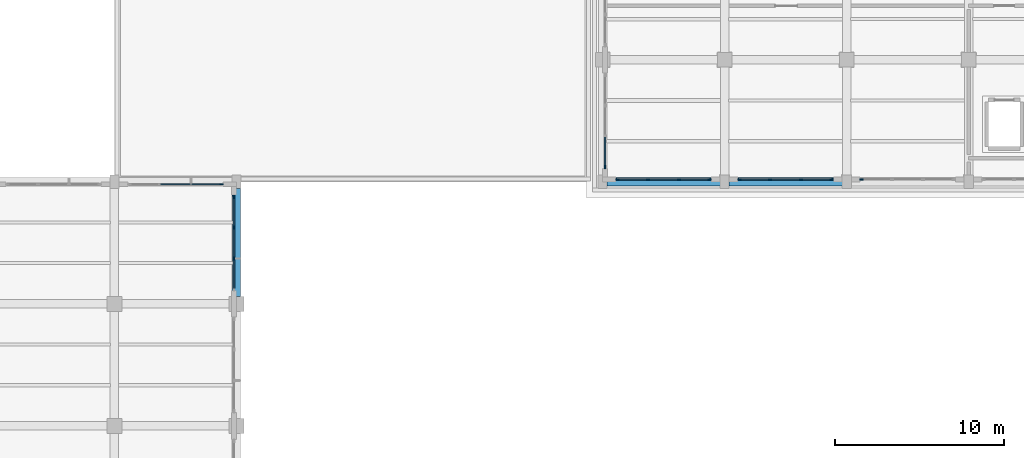
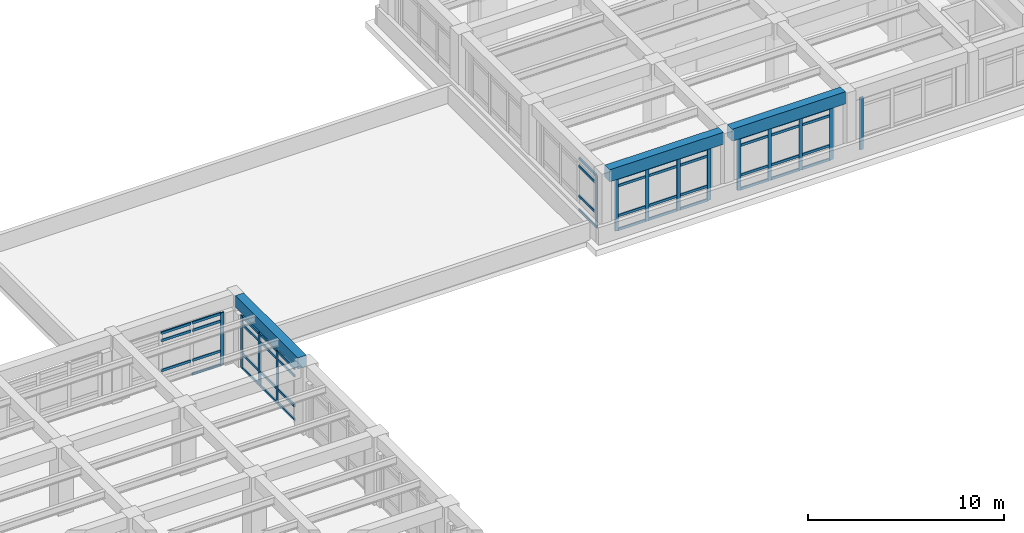
# One storey, part 21 of 69: 61 members, 3 beams, 6 elements without a shape of their own.
"""IFC4 building model written with IfcOpenShell, lengths in metres."""

from ifc_helpers import new_model, si_unit, direction, frame, origin, origin_2d, place, context, subcontext, project, spatial, rectangle, extrude, material, layer, layer_set, material_profile, profile_set, type_object, element, aggregate, save


model = new_model("IFC4")

# Units and contexts
model_context = context("Model", 3, precision=1e-05, world=origin(), true_north=direction((0.0, 1.0)))
body_context = subcontext(model_context, "Body", "Model", "MODEL_VIEW")
ifc_project = project(units=[si_unit("LENGTHUNIT", "METRE"), si_unit("AREAUNIT", "SQUARE_METRE"), si_unit("VOLUMEUNIT", "CUBIC_METRE"), si_unit("PLANEANGLEUNIT", "RADIAN"), si_unit("MASSUNIT", "GRAM", prefix="KILO")], contexts=[model_context])

# Site, building, storey
site_placement = place(None, origin())
site = spatial("IfcSite", under=ifc_project, at=site_placement, CompositionType="ELEMENT")
building_placement = place(site_placement, origin())
building = spatial("IfcBuilding", under=site, at=building_placement, Name="Solenvale Faculty of Natural Sciences", CompositionType="ELEMENT")
storey_placement = place(building_placement, frame((0.0, 0.0, 4.5)))
storey = spatial("IfcBuildingStorey", under=building, at=storey_placement, Name="L01", CompositionType="ELEMENT", Elevation=4.5)

# Beams
ifc_material_1 = material(Name="Concrete 40 MPa", Category="concrete")
ifc_material_profile_1 = material_profile(ifc_material_1, rectangle(XDim=0.5, YDim=0.699951171875, at=origin_2d()), Name="RC-BM-500x700")
ifc_profile_set_1 = profile_set([ifc_material_profile_1], Name="Concrete 40 MPa")
beam_type_1 = type_object("IfcBeamType", Name="BM-RC-500x700", PredefinedType="BEAM", material=ifc_profile_set_1)
beam_placement = place(storey_placement, frame((57.60009765625, 86.830078125, 3.8701171875), z_axis=(0.0, 1.0, 0.0), x_axis=(-1.0, 0.0, 0.0)))
element("IfcBeam", 1, at=beam_placement, inside=storey, type_object=beam_type_1, Name="L01 Y-Girder X57.6 (86.4..93.6)", PredefinedType="BEAM", context=body_context, shape_type="SweptSolid", body=[
    extrude(rectangle(XDim=0.5, YDim=0.699951171875, at=origin_2d()), origin(), (0.0, 0.0, 1.0), 6.389892578125),
])
ifc_material_profile_2 = material_profile(ifc_material_1, rectangle(XDim=0.5, YDim=0.75, at=origin_2d()), Name="RC-BM-500x750")
ifc_profile_set_2 = profile_set([ifc_material_profile_2], Name="Concrete 40 MPa")
beam_type_2 = type_object("IfcBeamType", Name="BM-RC-500x750", PredefinedType="BEAM", material=ifc_profile_set_2)
for number, where, z_axis, x_axis, name in (
    (2, (79.455078125, 93.60009765625, 3.844970703125), (1.0, 0.0, 0.0), (0.0, 1.0, 0.0), "L01 X-Girder Y93.6 (79.2..86.4)"),
    (3, (86.655029296875, 93.60009765625, 3.844970703125), (1.0, 0.0, 0.0), (0.0, 1.0, 0.0), "L01 X-Girder Y93.6 (86.4..93.6)"),
):
    element("IfcBeam", number, at=place(storey_placement, frame(where, z_axis=z_axis, x_axis=x_axis)), inside=storey, type_object=beam_type_2, Name=name, PredefinedType="BEAM", context=body_context, shape_type="SweptSolid", body=[
        extrude(rectangle(XDim=0.5, YDim=0.75, at=origin_2d()), origin(), (0.0, 0.0, 1.0), 6.68994140625),
    ])

# Curtain wall, members
ifc_material_2 = material(Name="Anodised bronze aluminium", Category="aluminium")
ifc_layer_1 = layer(ifc_material_2, 0.215087890625)
ifc_layer_set_1 = layer_set([ifc_layer_1], Name="Anodised bronze aluminium")
curtain_wall_type_1 = type_object("IfcCurtainWallType", Name="CW-ATR-UNIT", PredefinedType="USERDEFINED", material=ifc_layer_set_1)
curtain_wall_1_placement = place(storey_placement, origin())
curtain_wall_1 = element("IfcCurtainWall", 4, at=curtain_wall_1_placement, inside=storey, type_object=curtain_wall_type_1, Name="L01 Curtain Wall CW-L01-P1-E12-B7", ObjectType="UNITISED CURTAIN WALL", PredefinedType="USERDEFINED")
ifc_material_profile_3 = material_profile(ifc_material_2, rectangle(XDim=0.074951171875, YDim=0.2099609375, at=origin_2d()), Name="ALU-MUL-75x210")
ifc_profile_set_3 = profile_set([ifc_material_profile_3], Name="Anodised bronze aluminium")
member_type_1 = type_object("IfcMemberType", Name="CWM-ALU-75x210", PredefinedType="MULLION", material=ifc_profile_set_3)
member_1_placement = place(storey_placement, frame((57.45751953125, 89.083251953125, 0.0), z_axis=(0.0, 0.0, 1.0), x_axis=(-1.0, 0.0, 0.0)))
member_1 = element("IfcMember", 5, at=member_1_placement, type_object=member_type_1, Name="CW-01 mullion 2", PredefinedType="MULLION", context=body_context, shape_type="SweptSolid", body=[
    extrude(rectangle(XDim=0.074951171875, YDim=0.2099609375, at=origin_2d()), origin(), (0.0, 0.0, 1.0), 3.260009765625),
])
member_2_placement = place(storey_placement, frame((57.45751953125, 90.916748046875, 0.0), z_axis=(0.0, 0.0, 1.0), x_axis=(-1.0, 0.0, 0.0)))
member_2 = element("IfcMember", 6, at=member_2_placement, type_object=member_type_1, Name="CW-01 mullion 3", PredefinedType="MULLION", context=body_context, shape_type="SweptSolid", body=[
    extrude(rectangle(XDim=0.074951171875, YDim=0.2099609375, at=origin_2d()), origin(), (0.0, 0.0, 1.0), 3.260009765625),
])
member_3_placement = place(storey_placement, frame((57.45751953125, 92.71240234375, 0.0), z_axis=(0.0, 0.0, 1.0), x_axis=(-1.0, 0.0, 0.0)))
member_3 = element("IfcMember", 7, at=member_3_placement, type_object=member_type_1, Name="CW-01 mullion 4", PredefinedType="MULLION", context=body_context, shape_type="SweptSolid", body=[
    extrude(rectangle(XDim=0.074951171875, YDim=0.2099609375, at=origin_2d()), origin(), (0.0, 0.0, 1.0), 3.260009765625),
])

# Curtain wall, member
curtain_wall_2_placement = place(storey_placement, origin())
curtain_wall_2 = element("IfcCurtainWall", 8, at=curtain_wall_2_placement, inside=storey, type_object=curtain_wall_type_1, Name="L01 Curtain Wall CW-L01-P1-E13-B1", ObjectType="UNITISED CURTAIN WALL", PredefinedType="USERDEFINED")
member_4_placement = place(storey_placement, frame((56.71240234375, 93.45751953125, 0.0), z_axis=(0.0, 0.0, 1.0), x_axis=(0.0, -1.0, 0.0)))
member_4 = element("IfcMember", 9, at=member_4_placement, type_object=member_type_1, Name="CW-01 mullion 1", PredefinedType="MULLION", context=body_context, shape_type="SweptSolid", body=[
    extrude(rectangle(XDim=0.074951171875, YDim=0.2099609375, at=origin_2d()), origin(), (0.0, 0.0, 1.0), 3.260009765625),
])

ifc_layer_2 = layer(ifc_material_2, 0.179931640625)
ifc_layer_set_2 = layer_set([ifc_layer_2], Name="Anodised bronze aluminium")
curtain_wall_type_2 = type_object("IfcCurtainWallType", Name="CW-TWR-MOD", PredefinedType="USERDEFINED", material=ifc_layer_set_2)
curtain_wall_3_placement = place(storey_placement, origin())
curtain_wall_3 = element("IfcCurtainWall", 10, at=curtain_wall_3_placement, inside=storey, type_object=curtain_wall_type_2, Name="L01 Curtain Wall CW-L01-P2-E5-B3", ObjectType="UNITISED CURTAIN WALL", PredefinedType="USERDEFINED")
member_5_placement = place(storey_placement, frame((79.342529296875, 94.487548828125, 0.0), z_axis=(0.0, 0.0, 1.0), x_axis=(1.0, 0.0, 0.0)))
member_5 = element("IfcMember", 11, at=member_5_placement, type_object=member_type_1, Name="CW-04 mullion 4", PredefinedType="MULLION", context=body_context, shape_type="SweptSolid", body=[
    extrude(rectangle(XDim=0.074951171875, YDim=0.2099609375, at=origin_2d()), origin(), (0.0, 0.0, 1.0), 3.260009765625),
])

# Curtain wall, members
curtain_wall_4_placement = place(storey_placement, origin())
curtain_wall_4 = element("IfcCurtainWall", 12, at=curtain_wall_4_placement, inside=storey, type_object=curtain_wall_type_2, Name="L01 Curtain Wall CW-L01-P2-E6-B1", ObjectType="UNITISED CURTAIN WALL", PredefinedType="USERDEFINED")
member_6_placement = place(storey_placement, frame((80.08740234375, 93.742431640625, 0.0), z_axis=(0.0, 0.0, 1.0), x_axis=(0.0, 1.0, 0.0)))
member_6 = element("IfcMember", 13, at=member_6_placement, type_object=member_type_1, Name="CW-04 mullion 1", PredefinedType="MULLION", context=body_context, shape_type="SweptSolid", body=[
    extrude(rectangle(XDim=0.074951171875, YDim=0.2099609375, at=origin_2d()), origin(), (0.0, 0.0, 1.0), 3.260009765625),
])
member_7_placement = place(storey_placement, frame((81.88330078125, 93.742431640625, 0.0), z_axis=(0.0, 0.0, 1.0), x_axis=(0.0, 1.0, 0.0)))
member_7 = element("IfcMember", 14, at=member_7_placement, type_object=member_type_1, Name="CW-04 mullion 2", PredefinedType="MULLION", context=body_context, shape_type="SweptSolid", body=[
    extrude(rectangle(XDim=0.074951171875, YDim=0.2099609375, at=origin_2d()), origin(), (0.0, 0.0, 1.0), 3.260009765625),
])
member_8_placement = place(storey_placement, frame((83.716552734375, 93.742431640625, 0.0), z_axis=(0.0, 0.0, 1.0), x_axis=(0.0, 1.0, 0.0)))
member_8 = element("IfcMember", 15, at=member_8_placement, type_object=member_type_1, Name="CW-04 mullion 3", PredefinedType="MULLION", context=body_context, shape_type="SweptSolid", body=[
    extrude(rectangle(XDim=0.074951171875, YDim=0.2099609375, at=origin_2d()), origin(), (0.0, 0.0, 1.0), 3.260009765625),
])
member_9_placement = place(storey_placement, frame((85.512451171875, 93.742431640625, 0.0), z_axis=(0.0, 0.0, 1.0), x_axis=(0.0, 1.0, 0.0)))
member_9 = element("IfcMember", 16, at=member_9_placement, type_object=member_type_1, Name="CW-04 mullion 4", PredefinedType="MULLION", context=body_context, shape_type="SweptSolid", body=[
    extrude(rectangle(XDim=0.074951171875, YDim=0.2099609375, at=origin_2d()), origin(), (0.0, 0.0, 1.0), 3.260009765625),
])

curtain_wall_5_placement = place(storey_placement, origin())
curtain_wall_5 = element("IfcCurtainWall", 17, at=curtain_wall_5_placement, inside=storey, type_object=curtain_wall_type_2, Name="L01 Curtain Wall CW-L01-P2-E6-B2", ObjectType="UNITISED CURTAIN WALL", PredefinedType="USERDEFINED")
member_10_placement = place(storey_placement, frame((87.28759765625, 93.742431640625, 0.0), z_axis=(0.0, 0.0, 1.0), x_axis=(0.0, 1.0, 0.0)))
member_10 = element("IfcMember", 18, at=member_10_placement, type_object=member_type_1, Name="CW-04 mullion 1", PredefinedType="MULLION", context=body_context, shape_type="SweptSolid", body=[
    extrude(rectangle(XDim=0.074951171875, YDim=0.2099609375, at=origin_2d()), origin(), (0.0, 0.0, 1.0), 3.260009765625),
])
member_11_placement = place(storey_placement, frame((89.083251953125, 93.742431640625, 0.0), z_axis=(0.0, 0.0, 1.0), x_axis=(0.0, 1.0, 0.0)))
member_11 = element("IfcMember", 19, at=member_11_placement, type_object=member_type_1, Name="CW-04 mullion 2", PredefinedType="MULLION", context=body_context, shape_type="SweptSolid", body=[
    extrude(rectangle(XDim=0.074951171875, YDim=0.2099609375, at=origin_2d()), origin(), (0.0, 0.0, 1.0), 3.260009765625),
])
member_12_placement = place(storey_placement, frame((90.916748046875, 93.742431640625, 0.0), z_axis=(0.0, 0.0, 1.0), x_axis=(0.0, 1.0, 0.0)))
member_12 = element("IfcMember", 20, at=member_12_placement, type_object=member_type_1, Name="CW-04 mullion 3", PredefinedType="MULLION", context=body_context, shape_type="SweptSolid", body=[
    extrude(rectangle(XDim=0.074951171875, YDim=0.2099609375, at=origin_2d()), origin(), (0.0, 0.0, 1.0), 3.260009765625),
])
member_13_placement = place(storey_placement, frame((92.71240234375, 93.742431640625, 0.0), z_axis=(0.0, 0.0, 1.0), x_axis=(0.0, 1.0, 0.0)))
member_13 = element("IfcMember", 21, at=member_13_placement, type_object=member_type_1, Name="CW-04 mullion 4", PredefinedType="MULLION", context=body_context, shape_type="SweptSolid", body=[
    extrude(rectangle(XDim=0.074951171875, YDim=0.2099609375, at=origin_2d()), origin(), (0.0, 0.0, 1.0), 3.260009765625),
])

# Curtain wall, member
curtain_wall_6_placement = place(storey_placement, origin())
curtain_wall_6 = element("IfcCurtainWall", 22, at=curtain_wall_6_placement, inside=storey, type_object=curtain_wall_type_2, Name="L01 Curtain Wall CW-L01-P2-E6-B3", ObjectType="UNITISED CURTAIN WALL", PredefinedType="USERDEFINED")
member_14_placement = place(storey_placement, frame((94.487548828125, 93.742431640625, 0.0), z_axis=(0.0, 0.0, 1.0), x_axis=(0.0, 1.0, 0.0)))
member_14 = element("IfcMember", 23, at=member_14_placement, type_object=member_type_1, Name="CW-04 mullion 1", PredefinedType="MULLION", context=body_context, shape_type="SweptSolid", body=[
    extrude(rectangle(XDim=0.074951171875, YDim=0.2099609375, at=origin_2d()), origin(), (0.0, 0.0, 1.0), 3.260009765625),
])
aggregate(curtain_wall_6, [member_14])

# Member
ifc_material_profile_4 = material_profile(ifc_material_2, rectangle(XDim=0.074951171875, YDim=0.155029296875, at=origin_2d()), Name="ALU-TRN-75x155")
ifc_profile_set_4 = profile_set([ifc_material_profile_4], Name="Anodised bronze aluminium")
member_type_2 = type_object("IfcMemberType", Name="CWT-ALU-75x155", PredefinedType="USERDEFINED", material=ifc_profile_set_4)
member_15_placement = place(storey_placement, frame((57.45751953125, 87.324951171875, 0.03759765625), z_axis=(0.0, 1.0, 0.0), x_axis=(-1.0, 0.0, 0.0)))
member_15 = element("IfcMember", 24, at=member_15_placement, type_object=member_type_2, Name="CW-01 transom 1.1", ObjectType="TRANSOM", PredefinedType="USERDEFINED", context=body_context, shape_type="SweptSolid", body=[
    extrude(rectangle(XDim=0.074951171875, YDim=0.155029296875, at=origin_2d()), origin(), (0.0, 0.0, 1.0), 1.720947265625),
])

member_16_placement = place(storey_placement, frame((57.45751953125, 87.324951171875, 0.89990234375), z_axis=(0.0, 1.0, 0.0), x_axis=(-1.0, 0.0, 0.0)))
member_16 = element("IfcMember", 25, at=member_16_placement, type_object=member_type_2, Name="CW-01 transom 1.2", ObjectType="TRANSOM", PredefinedType="USERDEFINED", context=body_context, shape_type="SweptSolid", body=[
    extrude(rectangle(XDim=0.074951171875, YDim=0.155029296875, at=origin_2d()), origin(), (0.0, 0.0, 1.0), 1.720947265625),
])

member_17_placement = place(storey_placement, frame((57.45751953125, 87.324951171875, 2.760009765625), z_axis=(0.0, 1.0, 0.0), x_axis=(-1.0, 0.0, 0.0)))
member_17 = element("IfcMember", 26, at=member_17_placement, type_object=member_type_2, Name="CW-01 transom 1.3", ObjectType="TRANSOM", PredefinedType="USERDEFINED", context=body_context, shape_type="SweptSolid", body=[
    extrude(rectangle(XDim=0.074951171875, YDim=0.155029296875, at=origin_2d()), origin(), (0.0, 0.0, 1.0), 1.720947265625),
])

member_18_placement = place(storey_placement, frame((57.45751953125, 87.324951171875, 3.222412109375), z_axis=(0.0, 1.0, 0.0), x_axis=(-1.0, 0.0, 0.0)))
member_18 = element("IfcMember", 27, at=member_18_placement, type_object=member_type_2, Name="CW-01 transom 1.4", ObjectType="TRANSOM", PredefinedType="USERDEFINED", context=body_context, shape_type="SweptSolid", body=[
    extrude(rectangle(XDim=0.074951171875, YDim=0.155029296875, at=origin_2d()), origin(), (0.0, 0.0, 1.0), 1.720947265625),
])

member_19_placement = place(storey_placement, frame((57.45751953125, 89.120849609375, 0.03759765625), z_axis=(0.0, 1.0, 0.0), x_axis=(-1.0, 0.0, 0.0)))
member_19 = element("IfcMember", 28, at=member_19_placement, type_object=member_type_2, Name="CW-01 transom 2.1", ObjectType="TRANSOM", PredefinedType="USERDEFINED", context=body_context, shape_type="SweptSolid", body=[
    extrude(rectangle(XDim=0.074951171875, YDim=0.155029296875, at=origin_2d()), origin(), (0.0, 0.0, 1.0), 1.75830078125),
])

member_20_placement = place(storey_placement, frame((57.45751953125, 89.120849609375, 0.89990234375), z_axis=(0.0, 1.0, 0.0), x_axis=(-1.0, 0.0, 0.0)))
member_20 = element("IfcMember", 29, at=member_20_placement, type_object=member_type_2, Name="CW-01 transom 2.2", ObjectType="TRANSOM", PredefinedType="USERDEFINED", context=body_context, shape_type="SweptSolid", body=[
    extrude(rectangle(XDim=0.074951171875, YDim=0.155029296875, at=origin_2d()), origin(), (0.0, 0.0, 1.0), 1.75830078125),
])

member_21_placement = place(storey_placement, frame((57.45751953125, 89.120849609375, 2.760009765625), z_axis=(0.0, 1.0, 0.0), x_axis=(-1.0, 0.0, 0.0)))
member_21 = element("IfcMember", 30, at=member_21_placement, type_object=member_type_2, Name="CW-01 transom 2.3", ObjectType="TRANSOM", PredefinedType="USERDEFINED", context=body_context, shape_type="SweptSolid", body=[
    extrude(rectangle(XDim=0.074951171875, YDim=0.155029296875, at=origin_2d()), origin(), (0.0, 0.0, 1.0), 1.75830078125),
])

member_22_placement = place(storey_placement, frame((57.45751953125, 89.120849609375, 3.222412109375), z_axis=(0.0, 1.0, 0.0), x_axis=(-1.0, 0.0, 0.0)))
member_22 = element("IfcMember", 31, at=member_22_placement, type_object=member_type_2, Name="CW-01 transom 2.4", ObjectType="TRANSOM", PredefinedType="USERDEFINED", context=body_context, shape_type="SweptSolid", body=[
    extrude(rectangle(XDim=0.074951171875, YDim=0.155029296875, at=origin_2d()), origin(), (0.0, 0.0, 1.0), 1.75830078125),
])

member_23_placement = place(storey_placement, frame((57.45751953125, 90.9541015625, 0.03759765625), z_axis=(0.0, 1.0, 0.0), x_axis=(-1.0, 0.0, 0.0)))
member_23 = element("IfcMember", 32, at=member_23_placement, type_object=member_type_2, Name="CW-01 transom 3.1", ObjectType="TRANSOM", PredefinedType="USERDEFINED", context=body_context, shape_type="SweptSolid", body=[
    extrude(rectangle(XDim=0.074951171875, YDim=0.155029296875, at=origin_2d()), origin(), (0.0, 0.0, 1.0), 1.720947265625),
])

member_24_placement = place(storey_placement, frame((57.45751953125, 90.9541015625, 0.89990234375), z_axis=(0.0, 1.0, 0.0), x_axis=(-1.0, 0.0, 0.0)))
member_24 = element("IfcMember", 33, at=member_24_placement, type_object=member_type_2, Name="CW-01 transom 3.2", ObjectType="TRANSOM", PredefinedType="USERDEFINED", context=body_context, shape_type="SweptSolid", body=[
    extrude(rectangle(XDim=0.074951171875, YDim=0.155029296875, at=origin_2d()), origin(), (0.0, 0.0, 1.0), 1.720947265625),
])

member_25_placement = place(storey_placement, frame((57.45751953125, 90.9541015625, 2.760009765625), z_axis=(0.0, 1.0, 0.0), x_axis=(-1.0, 0.0, 0.0)))
member_25 = element("IfcMember", 34, at=member_25_placement, type_object=member_type_2, Name="CW-01 transom 3.3", ObjectType="TRANSOM", PredefinedType="USERDEFINED", context=body_context, shape_type="SweptSolid", body=[
    extrude(rectangle(XDim=0.074951171875, YDim=0.155029296875, at=origin_2d()), origin(), (0.0, 0.0, 1.0), 1.720947265625),
])

member_26_placement = place(storey_placement, frame((57.45751953125, 90.9541015625, 3.222412109375), z_axis=(0.0, 1.0, 0.0), x_axis=(-1.0, 0.0, 0.0)))
member_26 = element("IfcMember", 35, at=member_26_placement, type_object=member_type_2, Name="CW-01 transom 3.4", ObjectType="TRANSOM", PredefinedType="USERDEFINED", context=body_context, shape_type="SweptSolid", body=[
    extrude(rectangle(XDim=0.074951171875, YDim=0.155029296875, at=origin_2d()), origin(), (0.0, 0.0, 1.0), 1.720947265625),
])

aggregate(curtain_wall_1, [member_1, member_2, member_3, member_15, member_16, member_17, member_18, member_19, member_20, member_21, member_22, member_23, member_24, member_25, member_26])

member_27_placement = place(storey_placement, frame((56.675048828125, 93.45751953125, 0.03759765625), z_axis=(-1.0, 0.0, 0.0), x_axis=(0.0, -1.0, 0.0)))
member_27 = element("IfcMember", 36, at=member_27_placement, type_object=member_type_2, Name="CW-01 transom 1.1", ObjectType="TRANSOM", PredefinedType="USERDEFINED", context=body_context, shape_type="SweptSolid", body=[
    extrude(rectangle(XDim=0.074951171875, YDim=0.155029296875, at=origin_2d()), origin(), (0.0, 0.0, 1.0), 1.720947265625),
])

member_28_placement = place(storey_placement, frame((56.675048828125, 93.45751953125, 0.89990234375), z_axis=(-1.0, 0.0, 0.0), x_axis=(0.0, -1.0, 0.0)))
member_28 = element("IfcMember", 37, at=member_28_placement, type_object=member_type_2, Name="CW-01 transom 1.2", ObjectType="TRANSOM", PredefinedType="USERDEFINED", context=body_context, shape_type="SweptSolid", body=[
    extrude(rectangle(XDim=0.074951171875, YDim=0.155029296875, at=origin_2d()), origin(), (0.0, 0.0, 1.0), 1.720947265625),
])

member_29_placement = place(storey_placement, frame((56.675048828125, 93.45751953125, 2.760009765625), z_axis=(-1.0, 0.0, 0.0), x_axis=(0.0, -1.0, 0.0)))
member_29 = element("IfcMember", 38, at=member_29_placement, type_object=member_type_2, Name="CW-01 transom 1.3", ObjectType="TRANSOM", PredefinedType="USERDEFINED", context=body_context, shape_type="SweptSolid", body=[
    extrude(rectangle(XDim=0.074951171875, YDim=0.155029296875, at=origin_2d()), origin(), (0.0, 0.0, 1.0), 1.720947265625),
])

member_30_placement = place(storey_placement, frame((56.675048828125, 93.45751953125, 3.222412109375), z_axis=(-1.0, 0.0, 0.0), x_axis=(0.0, -1.0, 0.0)))
member_30 = element("IfcMember", 39, at=member_30_placement, type_object=member_type_2, Name="CW-01 transom 1.4", ObjectType="TRANSOM", PredefinedType="USERDEFINED", context=body_context, shape_type="SweptSolid", body=[
    extrude(rectangle(XDim=0.074951171875, YDim=0.155029296875, at=origin_2d()), origin(), (0.0, 0.0, 1.0), 1.720947265625),
])

member_31_placement = place(storey_placement, frame((54.879150390625, 93.45751953125, 0.89990234375), z_axis=(-1.0, 0.0, 0.0), x_axis=(0.0, -1.0, 0.0)))
member_31 = element("IfcMember", 40, at=member_31_placement, type_object=member_type_2, Name="CW-01 transom 2.2", ObjectType="TRANSOM", PredefinedType="USERDEFINED", context=body_context, shape_type="SweptSolid", body=[
    extrude(rectangle(XDim=0.074951171875, YDim=0.155029296875, at=origin_2d()), origin(), (0.0, 0.0, 1.0), 1.75830078125),
])

member_32_placement = place(storey_placement, frame((54.879150390625, 93.45751953125, 2.760009765625), z_axis=(-1.0, 0.0, 0.0), x_axis=(0.0, -1.0, 0.0)))
member_32 = element("IfcMember", 41, at=member_32_placement, type_object=member_type_2, Name="CW-01 transom 2.3", ObjectType="TRANSOM", PredefinedType="USERDEFINED", context=body_context, shape_type="SweptSolid", body=[
    extrude(rectangle(XDim=0.074951171875, YDim=0.155029296875, at=origin_2d()), origin(), (0.0, 0.0, 1.0), 1.75830078125),
])

member_33_placement = place(storey_placement, frame((54.879150390625, 93.45751953125, 3.222412109375), z_axis=(-1.0, 0.0, 0.0), x_axis=(0.0, -1.0, 0.0)))
member_33 = element("IfcMember", 42, at=member_33_placement, type_object=member_type_2, Name="CW-01 transom 2.4", ObjectType="TRANSOM", PredefinedType="USERDEFINED", context=body_context, shape_type="SweptSolid", body=[
    extrude(rectangle(XDim=0.074951171875, YDim=0.155029296875, at=origin_2d()), origin(), (0.0, 0.0, 1.0), 1.75830078125),
])

aggregate(curtain_wall_2, [member_4, member_27, member_28, member_29, member_30, member_31, member_32, member_33])

member_34_placement = place(storey_placement, frame((79.342529296875, 96.245849609375, 0.03759765625), z_axis=(0.0, -1.0, 0.0), x_axis=(1.0, 0.0, 0.0)))
member_34 = element("IfcMember", 43, at=member_34_placement, type_object=member_type_2, Name="CW-04 transom 3.1", ObjectType="TRANSOM", PredefinedType="USERDEFINED", context=body_context, shape_type="SweptSolid", body=[
    extrude(rectangle(XDim=0.074951171875, YDim=0.155029296875, at=origin_2d()), origin(), (0.0, 0.0, 1.0), 1.720947265625),
])

member_35_placement = place(storey_placement, frame((79.342529296875, 96.245849609375, 0.89990234375), z_axis=(0.0, -1.0, 0.0), x_axis=(1.0, 0.0, 0.0)))
member_35 = element("IfcMember", 44, at=member_35_placement, type_object=member_type_2, Name="CW-04 transom 3.2", ObjectType="TRANSOM", PredefinedType="USERDEFINED", context=body_context, shape_type="SweptSolid", body=[
    extrude(rectangle(XDim=0.074951171875, YDim=0.155029296875, at=origin_2d()), origin(), (0.0, 0.0, 1.0), 1.720947265625),
])

member_36_placement = place(storey_placement, frame((79.342529296875, 96.245849609375, 2.760009765625), z_axis=(0.0, -1.0, 0.0), x_axis=(1.0, 0.0, 0.0)))
member_36 = element("IfcMember", 45, at=member_36_placement, type_object=member_type_2, Name="CW-04 transom 3.3", ObjectType="TRANSOM", PredefinedType="USERDEFINED", context=body_context, shape_type="SweptSolid", body=[
    extrude(rectangle(XDim=0.074951171875, YDim=0.155029296875, at=origin_2d()), origin(), (0.0, 0.0, 1.0), 1.720947265625),
])

member_37_placement = place(storey_placement, frame((79.342529296875, 96.245849609375, 3.222412109375), z_axis=(0.0, -1.0, 0.0), x_axis=(1.0, 0.0, 0.0)))
member_37 = element("IfcMember", 46, at=member_37_placement, type_object=member_type_2, Name="CW-04 transom 3.4", ObjectType="TRANSOM", PredefinedType="USERDEFINED", context=body_context, shape_type="SweptSolid", body=[
    extrude(rectangle(XDim=0.074951171875, YDim=0.155029296875, at=origin_2d()), origin(), (0.0, 0.0, 1.0), 1.720947265625),
])

aggregate(curtain_wall_3, [member_5, member_34, member_35, member_36, member_37])

member_38_placement = place(storey_placement, frame((80.125, 93.742431640625, 0.03759765625), z_axis=(1.0, 0.0, 0.0), x_axis=(0.0, 1.0, 0.0)))
member_38 = element("IfcMember", 47, at=member_38_placement, type_object=member_type_2, Name="CW-04 transom 1.1", ObjectType="TRANSOM", PredefinedType="USERDEFINED", context=body_context, shape_type="SweptSolid", body=[
    extrude(rectangle(XDim=0.074951171875, YDim=0.155029296875, at=origin_2d()), origin(), (0.0, 0.0, 1.0), 1.720947265625),
])

member_39_placement = place(storey_placement, frame((80.125, 93.742431640625, 0.89990234375), z_axis=(1.0, 0.0, 0.0), x_axis=(0.0, 1.0, 0.0)))
member_39 = element("IfcMember", 48, at=member_39_placement, type_object=member_type_2, Name="CW-04 transom 1.2", ObjectType="TRANSOM", PredefinedType="USERDEFINED", context=body_context, shape_type="SweptSolid", body=[
    extrude(rectangle(XDim=0.074951171875, YDim=0.155029296875, at=origin_2d()), origin(), (0.0, 0.0, 1.0), 1.720947265625),
])

member_40_placement = place(storey_placement, frame((80.125, 93.742431640625, 2.760009765625), z_axis=(1.0, 0.0, 0.0), x_axis=(0.0, 1.0, 0.0)))
member_40 = element("IfcMember", 49, at=member_40_placement, type_object=member_type_2, Name="CW-04 transom 1.3", ObjectType="TRANSOM", PredefinedType="USERDEFINED", context=body_context, shape_type="SweptSolid", body=[
    extrude(rectangle(XDim=0.074951171875, YDim=0.155029296875, at=origin_2d()), origin(), (0.0, 0.0, 1.0), 1.720947265625),
])

member_41_placement = place(storey_placement, frame((80.125, 93.742431640625, 3.222412109375), z_axis=(1.0, 0.0, 0.0), x_axis=(0.0, 1.0, 0.0)))
member_41 = element("IfcMember", 50, at=member_41_placement, type_object=member_type_2, Name="CW-04 transom 1.4", ObjectType="TRANSOM", PredefinedType="USERDEFINED", context=body_context, shape_type="SweptSolid", body=[
    extrude(rectangle(XDim=0.074951171875, YDim=0.155029296875, at=origin_2d()), origin(), (0.0, 0.0, 1.0), 1.720947265625),
])

member_42_placement = place(storey_placement, frame((81.9208984375, 93.742431640625, 0.03759765625), z_axis=(1.0, 0.0, 0.0), x_axis=(0.0, 1.0, 0.0)))
member_42 = element("IfcMember", 51, at=member_42_placement, type_object=member_type_2, Name="CW-04 transom 2.1", ObjectType="TRANSOM", PredefinedType="USERDEFINED", context=body_context, shape_type="SweptSolid", body=[
    extrude(rectangle(XDim=0.074951171875, YDim=0.155029296875, at=origin_2d()), origin(), (0.0, 0.0, 1.0), 1.75830078125),
])

member_43_placement = place(storey_placement, frame((81.9208984375, 93.742431640625, 0.89990234375), z_axis=(1.0, 0.0, 0.0), x_axis=(0.0, 1.0, 0.0)))
member_43 = element("IfcMember", 52, at=member_43_placement, type_object=member_type_2, Name="CW-04 transom 2.2", ObjectType="TRANSOM", PredefinedType="USERDEFINED", context=body_context, shape_type="SweptSolid", body=[
    extrude(rectangle(XDim=0.074951171875, YDim=0.155029296875, at=origin_2d()), origin(), (0.0, 0.0, 1.0), 1.75830078125),
])

member_44_placement = place(storey_placement, frame((81.9208984375, 93.742431640625, 2.760009765625), z_axis=(1.0, 0.0, 0.0), x_axis=(0.0, 1.0, 0.0)))
member_44 = element("IfcMember", 53, at=member_44_placement, type_object=member_type_2, Name="CW-04 transom 2.3", ObjectType="TRANSOM", PredefinedType="USERDEFINED", context=body_context, shape_type="SweptSolid", body=[
    extrude(rectangle(XDim=0.074951171875, YDim=0.155029296875, at=origin_2d()), origin(), (0.0, 0.0, 1.0), 1.75830078125),
])

member_45_placement = place(storey_placement, frame((81.9208984375, 93.742431640625, 3.222412109375), z_axis=(1.0, 0.0, 0.0), x_axis=(0.0, 1.0, 0.0)))
member_45 = element("IfcMember", 54, at=member_45_placement, type_object=member_type_2, Name="CW-04 transom 2.4", ObjectType="TRANSOM", PredefinedType="USERDEFINED", context=body_context, shape_type="SweptSolid", body=[
    extrude(rectangle(XDim=0.074951171875, YDim=0.155029296875, at=origin_2d()), origin(), (0.0, 0.0, 1.0), 1.75830078125),
])

member_46_placement = place(storey_placement, frame((83.754150390625, 93.742431640625, 0.03759765625), z_axis=(1.0, 0.0, 0.0), x_axis=(0.0, 1.0, 0.0)))
member_46 = element("IfcMember", 55, at=member_46_placement, type_object=member_type_2, Name="CW-04 transom 3.1", ObjectType="TRANSOM", PredefinedType="USERDEFINED", context=body_context, shape_type="SweptSolid", body=[
    extrude(rectangle(XDim=0.074951171875, YDim=0.155029296875, at=origin_2d()), origin(), (0.0, 0.0, 1.0), 1.720947265625),
])

member_47_placement = place(storey_placement, frame((83.754150390625, 93.742431640625, 0.89990234375), z_axis=(1.0, 0.0, 0.0), x_axis=(0.0, 1.0, 0.0)))
member_47 = element("IfcMember", 56, at=member_47_placement, type_object=member_type_2, Name="CW-04 transom 3.2", ObjectType="TRANSOM", PredefinedType="USERDEFINED", context=body_context, shape_type="SweptSolid", body=[
    extrude(rectangle(XDim=0.074951171875, YDim=0.155029296875, at=origin_2d()), origin(), (0.0, 0.0, 1.0), 1.720947265625),
])

member_48_placement = place(storey_placement, frame((83.754150390625, 93.742431640625, 2.760009765625), z_axis=(1.0, 0.0, 0.0), x_axis=(0.0, 1.0, 0.0)))
member_48 = element("IfcMember", 57, at=member_48_placement, type_object=member_type_2, Name="CW-04 transom 3.3", ObjectType="TRANSOM", PredefinedType="USERDEFINED", context=body_context, shape_type="SweptSolid", body=[
    extrude(rectangle(XDim=0.074951171875, YDim=0.155029296875, at=origin_2d()), origin(), (0.0, 0.0, 1.0), 1.720947265625),
])

member_49_placement = place(storey_placement, frame((83.754150390625, 93.742431640625, 3.222412109375), z_axis=(1.0, 0.0, 0.0), x_axis=(0.0, 1.0, 0.0)))
member_49 = element("IfcMember", 58, at=member_49_placement, type_object=member_type_2, Name="CW-04 transom 3.4", ObjectType="TRANSOM", PredefinedType="USERDEFINED", context=body_context, shape_type="SweptSolid", body=[
    extrude(rectangle(XDim=0.074951171875, YDim=0.155029296875, at=origin_2d()), origin(), (0.0, 0.0, 1.0), 1.720947265625),
])

aggregate(curtain_wall_4, [member_6, member_7, member_8, member_9, member_38, member_39, member_40, member_41, member_42, member_43, member_44, member_45, member_46, member_47, member_48, member_49])

member_50_placement = place(storey_placement, frame((87.324951171875, 93.742431640625, 0.03759765625), z_axis=(1.0, 0.0, 0.0), x_axis=(0.0, 1.0, 0.0)))
member_50 = element("IfcMember", 59, at=member_50_placement, type_object=member_type_2, Name="CW-04 transom 1.1", ObjectType="TRANSOM", PredefinedType="USERDEFINED", context=body_context, shape_type="SweptSolid", body=[
    extrude(rectangle(XDim=0.074951171875, YDim=0.155029296875, at=origin_2d()), origin(), (0.0, 0.0, 1.0), 1.720947265625),
])

member_51_placement = place(storey_placement, frame((87.324951171875, 93.742431640625, 0.89990234375), z_axis=(1.0, 0.0, 0.0), x_axis=(0.0, 1.0, 0.0)))
member_51 = element("IfcMember", 60, at=member_51_placement, type_object=member_type_2, Name="CW-04 transom 1.2", ObjectType="TRANSOM", PredefinedType="USERDEFINED", context=body_context, shape_type="SweptSolid", body=[
    extrude(rectangle(XDim=0.074951171875, YDim=0.155029296875, at=origin_2d()), origin(), (0.0, 0.0, 1.0), 1.720947265625),
])

member_52_placement = place(storey_placement, frame((87.324951171875, 93.742431640625, 2.760009765625), z_axis=(1.0, 0.0, 0.0), x_axis=(0.0, 1.0, 0.0)))
member_52 = element("IfcMember", 61, at=member_52_placement, type_object=member_type_2, Name="CW-04 transom 1.3", ObjectType="TRANSOM", PredefinedType="USERDEFINED", context=body_context, shape_type="SweptSolid", body=[
    extrude(rectangle(XDim=0.074951171875, YDim=0.155029296875, at=origin_2d()), origin(), (0.0, 0.0, 1.0), 1.720947265625),
])

member_53_placement = place(storey_placement, frame((87.324951171875, 93.742431640625, 3.222412109375), z_axis=(1.0, 0.0, 0.0), x_axis=(0.0, 1.0, 0.0)))
member_53 = element("IfcMember", 62, at=member_53_placement, type_object=member_type_2, Name="CW-04 transom 1.4", ObjectType="TRANSOM", PredefinedType="USERDEFINED", context=body_context, shape_type="SweptSolid", body=[
    extrude(rectangle(XDim=0.074951171875, YDim=0.155029296875, at=origin_2d()), origin(), (0.0, 0.0, 1.0), 1.720947265625),
])

member_54_placement = place(storey_placement, frame((89.120849609375, 93.742431640625, 0.03759765625), z_axis=(1.0, 0.0, 0.0), x_axis=(0.0, 1.0, 0.0)))
member_54 = element("IfcMember", 63, at=member_54_placement, type_object=member_type_2, Name="CW-04 transom 2.1", ObjectType="TRANSOM", PredefinedType="USERDEFINED", context=body_context, shape_type="SweptSolid", body=[
    extrude(rectangle(XDim=0.074951171875, YDim=0.155029296875, at=origin_2d()), origin(), (0.0, 0.0, 1.0), 1.75830078125),
])

member_55_placement = place(storey_placement, frame((89.120849609375, 93.742431640625, 0.89990234375), z_axis=(1.0, 0.0, 0.0), x_axis=(0.0, 1.0, 0.0)))
member_55 = element("IfcMember", 64, at=member_55_placement, type_object=member_type_2, Name="CW-04 transom 2.2", ObjectType="TRANSOM", PredefinedType="USERDEFINED", context=body_context, shape_type="SweptSolid", body=[
    extrude(rectangle(XDim=0.074951171875, YDim=0.155029296875, at=origin_2d()), origin(), (0.0, 0.0, 1.0), 1.75830078125),
])

member_56_placement = place(storey_placement, frame((89.120849609375, 93.742431640625, 2.760009765625), z_axis=(1.0, 0.0, 0.0), x_axis=(0.0, 1.0, 0.0)))
member_56 = element("IfcMember", 65, at=member_56_placement, type_object=member_type_2, Name="CW-04 transom 2.3", ObjectType="TRANSOM", PredefinedType="USERDEFINED", context=body_context, shape_type="SweptSolid", body=[
    extrude(rectangle(XDim=0.074951171875, YDim=0.155029296875, at=origin_2d()), origin(), (0.0, 0.0, 1.0), 1.75830078125),
])

member_57_placement = place(storey_placement, frame((89.120849609375, 93.742431640625, 3.222412109375), z_axis=(1.0, 0.0, 0.0), x_axis=(0.0, 1.0, 0.0)))
member_57 = element("IfcMember", 66, at=member_57_placement, type_object=member_type_2, Name="CW-04 transom 2.4", ObjectType="TRANSOM", PredefinedType="USERDEFINED", context=body_context, shape_type="SweptSolid", body=[
    extrude(rectangle(XDim=0.074951171875, YDim=0.155029296875, at=origin_2d()), origin(), (0.0, 0.0, 1.0), 1.75830078125),
])

member_58_placement = place(storey_placement, frame((90.9541015625, 93.742431640625, 0.03759765625), z_axis=(1.0, 0.0, 0.0), x_axis=(0.0, 1.0, 0.0)))
member_58 = element("IfcMember", 67, at=member_58_placement, type_object=member_type_2, Name="CW-04 transom 3.1", ObjectType="TRANSOM", PredefinedType="USERDEFINED", context=body_context, shape_type="SweptSolid", body=[
    extrude(rectangle(XDim=0.074951171875, YDim=0.155029296875, at=origin_2d()), origin(), (0.0, 0.0, 1.0), 1.720947265625),
])

member_59_placement = place(storey_placement, frame((90.9541015625, 93.742431640625, 0.89990234375), z_axis=(1.0, 0.0, 0.0), x_axis=(0.0, 1.0, 0.0)))
member_59 = element("IfcMember", 68, at=member_59_placement, type_object=member_type_2, Name="CW-04 transom 3.2", ObjectType="TRANSOM", PredefinedType="USERDEFINED", context=body_context, shape_type="SweptSolid", body=[
    extrude(rectangle(XDim=0.074951171875, YDim=0.155029296875, at=origin_2d()), origin(), (0.0, 0.0, 1.0), 1.720947265625),
])

member_60_placement = place(storey_placement, frame((90.9541015625, 93.742431640625, 2.760009765625), z_axis=(1.0, 0.0, 0.0), x_axis=(0.0, 1.0, 0.0)))
member_60 = element("IfcMember", 69, at=member_60_placement, type_object=member_type_2, Name="CW-04 transom 3.3", ObjectType="TRANSOM", PredefinedType="USERDEFINED", context=body_context, shape_type="SweptSolid", body=[
    extrude(rectangle(XDim=0.074951171875, YDim=0.155029296875, at=origin_2d()), origin(), (0.0, 0.0, 1.0), 1.720947265625),
])

member_61_placement = place(storey_placement, frame((90.9541015625, 93.742431640625, 3.222412109375), z_axis=(1.0, 0.0, 0.0), x_axis=(0.0, 1.0, 0.0)))
member_61 = element("IfcMember", 70, at=member_61_placement, type_object=member_type_2, Name="CW-04 transom 3.4", ObjectType="TRANSOM", PredefinedType="USERDEFINED", context=body_context, shape_type="SweptSolid", body=[
    extrude(rectangle(XDim=0.074951171875, YDim=0.155029296875, at=origin_2d()), origin(), (0.0, 0.0, 1.0), 1.720947265625),
])

aggregate(curtain_wall_5, [member_10, member_11, member_12, member_13, member_50, member_51, member_52, member_53, member_54, member_55, member_56, member_57, member_58, member_59, member_60, member_61])

save(model, "model.ifc")
